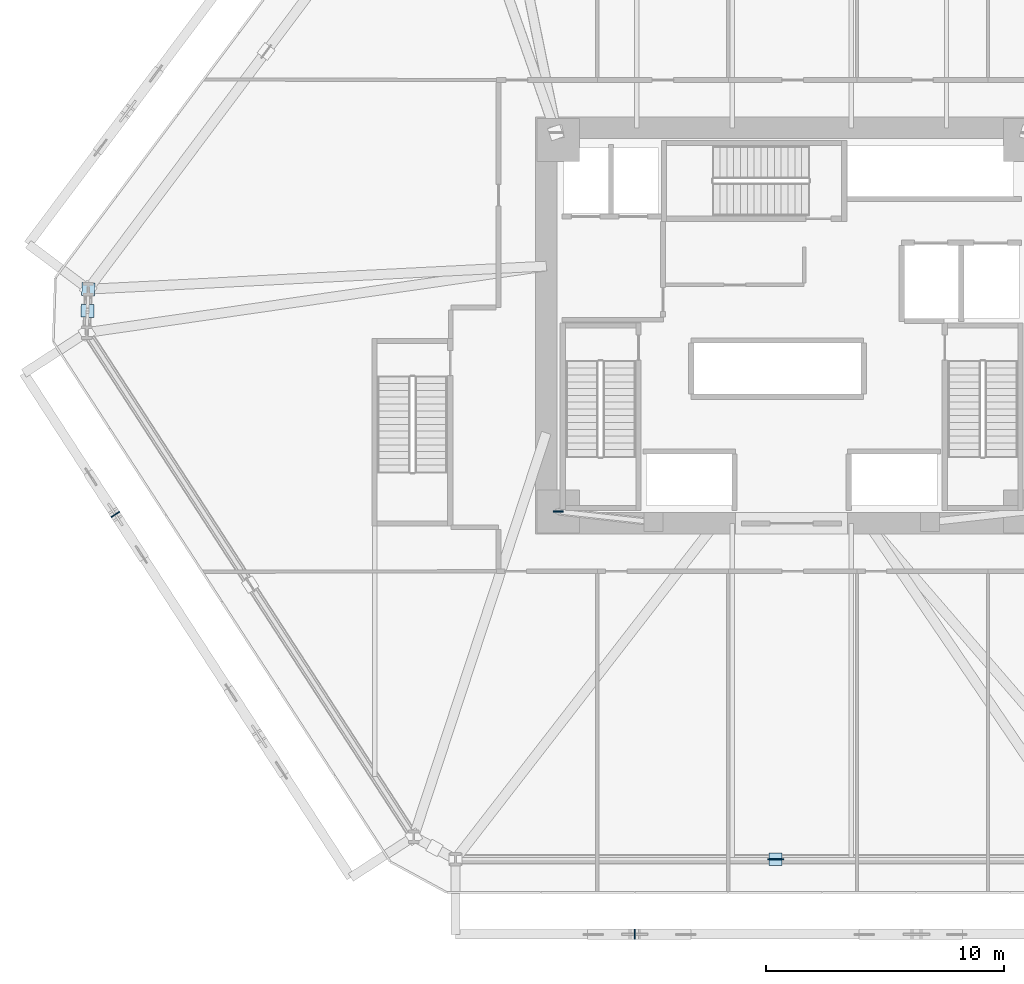
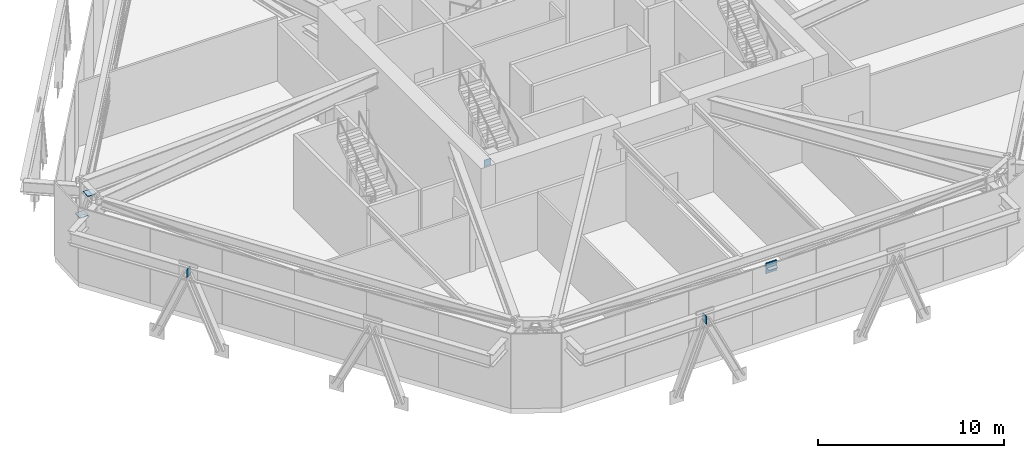
# One storey, part 9 of 16: 7 plates.
"""IFC4 building model written with IfcOpenShell, lengths in metres."""

from ifc_helpers import new_model, si_unit, direction, frame, origin, origin_2d, place, context, subcontext, project, spatial, rectangle, extrude, source, transform, mapped, material, layer, layer_set, type_object, type_shapes, element, save


model = new_model("IFC4")

# Units and contexts
model_context = context("Model", 3, precision=1e-05, world=origin(), true_north=direction((0.0, 1.0)))
body_context = subcontext(model_context, "Body", "Model", "MODEL_VIEW")
ifc_project = project(units=[si_unit("LENGTHUNIT", "METRE"), si_unit("AREAUNIT", "SQUARE_METRE"), si_unit("VOLUMEUNIT", "CUBIC_METRE"), si_unit("PLANEANGLEUNIT", "RADIAN"), si_unit("MASSUNIT", "GRAM", prefix="KILO")], contexts=[model_context])

# Site, building, storey
site_placement = place(None, origin())
site = spatial("IfcSite", under=ifc_project, at=site_placement, CompositionType="ELEMENT")
building_placement = place(site_placement, origin())
building = spatial("IfcBuilding", under=site, at=building_placement, Name="Durnholm Broadcast Tower", CompositionType="ELEMENT")
storey_placement = place(building_placement, frame((0.0, 0.0, 10.39990234375)))
storey = spatial("IfcBuildingStorey", under=building, at=storey_placement, Name="L02", CompositionType="ELEMENT", Elevation=10.39990234375)

# Plates
ifc_material_1 = material(Name="Steel ASTM A572 Grade 50", Category="steel")
ifc_layer_1 = layer(ifc_material_1, 0.044921875)
ifc_layer_set_1 = layer_set([ifc_layer_1], Name="Steel ASTM A572 Grade 50")
plate_type_1 = type_object("IfcPlateType", Name="PLT-KN-STIF", PredefinedType="SHEET", material=ifc_layer_set_1)
shared_shape_1 = source(origin(), body_context, "Body", "SweptSolid", [
    extrude(rectangle(XDim=0.419921875, YDim=0.050048828125, at=origin_2d()), origin(), (0.0, 0.0, 1.0), 0.419921875),
])
plate_1_placement = place(storey_placement, frame((-9.800048828125, -7.800048828125, 4.501220703125), z_axis=(0.0, 0.0, 1.0), x_axis=(1.0, 0.0, 0.0)))
element("IfcPlate", 1, at=plate_1_placement, inside=storey, type_object=plate_type_1, Name="L02 gallery stringer brace core wall cast-in plate", ObjectType="GUSSET_PLATE", PredefinedType="USERDEFINED", context=body_context, shape_type="MappedRepresentation", body=[
    mapped(shared_shape_1, transform((0.0, 0.0, 0.0), x_axis=(1.0, 0.0, 0.0), y_axis=(0.0, 1.0, 0.0), z_axis=(0.0, 0.0, 1.0), scale=1.0)),
])
ifc_layer_2 = layer(ifc_material_1, 0.0400390625)
ifc_layer_set_2 = layer_set([ifc_layer_2], Name="Steel ASTM A572 Grade 50")
plate_type_2 = type_object("IfcPlateType", Name="PLT-KN-CAP", PredefinedType="USERDEFINED", material=ifc_layer_set_2)
shared_shape_2 = source(origin(), body_context, "Body", "SweptSolid", [
    extrude(rectangle(XDim=0.5400390625, YDim=0.5400390625, at=origin_2d()), origin(), (0.0, 0.0, 1.0), 0.0400390625),
])
type_shapes(plate_type_2, [shared_shape_2])
for number, where, z_axis, x_axis, name in (
    (2, (-29.529296875, 1.530517578125, 2.530029296875), (0.0, 0.0, 1.0), (0.033504050301, 0.999438581711, 0.0), "L02 hollow section end cap plate BT-CH-L02-02 2"),
    (3, (-29.56005859375, 0.62109375, 4.510009765625), (0.0, 0.0, 1.0), (0.033504050301, 0.999438581711, 0.0), "L02 hollow section end cap plate BT-BR-L02-02-1 2"),
    (4, (-0.673583984375, -22.39990234375, 3.52001953125), (0.0, 0.0, 1.0), (1.0, 0.0, 0.0), "L02 hollow section end cap plate BT-XSPLIT-L02-11-1 2"),
):
    element("IfcPlate", number, at=place(storey_placement, frame(where, z_axis=z_axis, x_axis=x_axis)), inside=storey, type_object=plate_type_2, Name=name, ObjectType="CAP_PLATE", PredefinedType="USERDEFINED", context=body_context, shape_type="MappedRepresentation", body=[
        mapped(shared_shape_2, transform((0.0, 0.0, 0.0), x_axis=(1.0, 0.0, 0.0), y_axis=(0.0, 1.0, 0.0), z_axis=(0.0, 0.0, 1.0), scale=1.0)),
    ])
ifc_material_2 = material(Name="ASTM A572 Grade 50 Steel", Category="steel")
ifc_layer_3 = layer(ifc_material_2, 0.06005859375)
ifc_layer_set_3 = layer_set([ifc_layer_3], Name="ASTM A572 Grade 50 Steel")
plate_type_3 = type_object("IfcPlateType", Name="PLT-KN-X1", PredefinedType="USERDEFINED", material=ifc_layer_set_3)
shared_shape_3 = source(origin(), body_context, "Body", "SweptSolid", [
    extrude(rectangle(XDim=0.679931640625, YDim=0.06005859375, at=origin_2d()), origin(), (0.0, 0.0, 1.0), 0.679931640625),
])
type_shapes(plate_type_3, [shared_shape_3])
plate_2_placement = place(storey_placement, frame((-0.673583984375, -22.39990234375, 3.2001953125), z_axis=(0.0, 0.0, 1.0), x_axis=(-1.0, 0.0, 0.0)))
element("IfcPlate", 5, at=plate_2_placement, inside=storey, type_object=plate_type_3, Name="L02 belt-truss X-brace crossing gusset plate 11", ObjectType="GUSSET_PLATE", PredefinedType="USERDEFINED", context=body_context, shape_type="MappedRepresentation", body=[
    mapped(shared_shape_3, transform((0.0, 0.0, 0.0), x_axis=(1.0, 0.0, 0.0), y_axis=(0.0, 1.0, 0.0), z_axis=(0.0, 0.0, 1.0), scale=1.0)),
])
shared_shape_4 = source(origin(), body_context, "Body", "SweptSolid", [
    extrude(rectangle(XDim=0.044921875, YDim=0.419921875, at=origin_2d()), origin(), (0.0, 0.0, 1.0), 0.52001953125),
])
type_shapes(plate_type_1, [shared_shape_1, shared_shape_4])
for number, where, z_axis, x_axis, name in (
    (6, (-6.58984375, -25.550048828125, 3.86865234375), (0.0, 0.0, 1.0), (1.0, 0.0, 0.0), "L02 welded diagrid node stiffener plate F1"),
    (7, (-28.390625, -7.927978515625, 3.86865234375), (0.0, 0.0, 1.0), (0.544053399827, -0.839050593311, 0.0), "L02 welded diagrid node stiffener plate F6"),
):
    element("IfcPlate", number, at=place(storey_placement, frame(where, z_axis=z_axis, x_axis=x_axis)), inside=storey, type_object=plate_type_1, Name=name, PredefinedType="SHEET", context=body_context, shape_type="MappedRepresentation", body=[
        mapped(shared_shape_4, transform((0.0, 0.0, 0.0), x_axis=(1.0, 0.0, 0.0), y_axis=(0.0, 1.0, 0.0), z_axis=(0.0, 0.0, 1.0), scale=1.0)),
    ])

save(model, "model.ifc")
